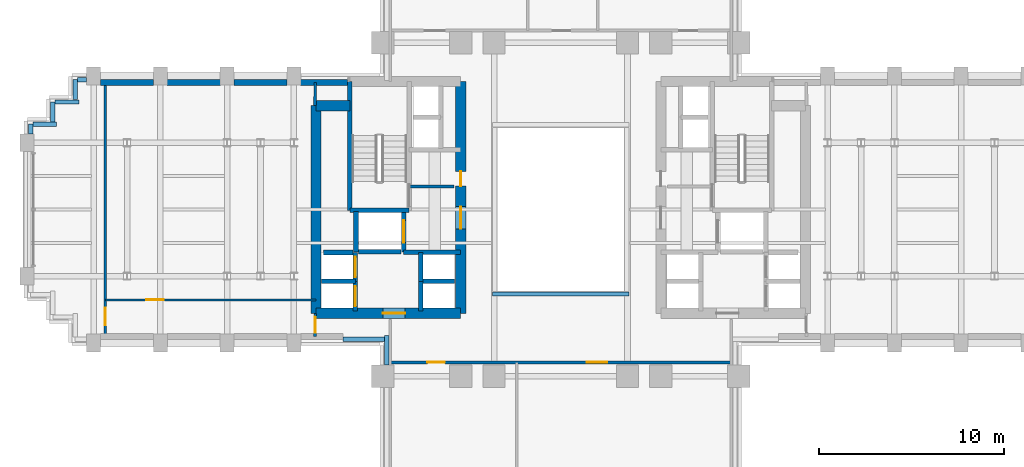
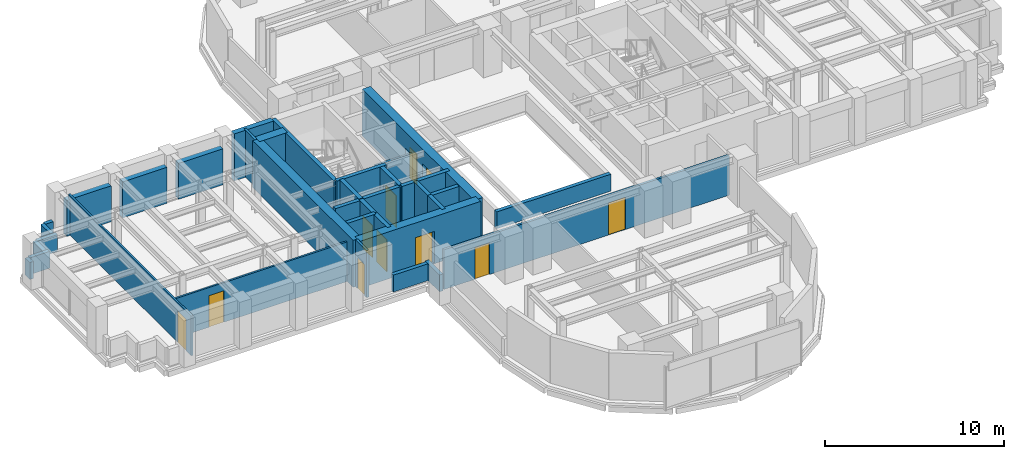
# One storey, part 10 of 16: 36 walls, 11 doors, 11 openings.
"""IFC4 building model written with IfcOpenShell, lengths in metres."""

from ifc_helpers import new_model, si_unit, direction, frame, frame_2d, origin, place, context, subcontext, project, spatial, rectangle, extrude, source, transform, mapped, material, layer, layer_set, type_object, element, fill, save


model = new_model("IFC4")

# Units and contexts
model_context = context("Model", 3, precision=1e-05, world=origin(), true_north=direction((0.0, 1.0)))
body_context = subcontext(model_context, "Body", "Model", "MODEL_VIEW")
ifc_project = project(units=[si_unit("LENGTHUNIT", "METRE"), si_unit("AREAUNIT", "SQUARE_METRE"), si_unit("VOLUMEUNIT", "CUBIC_METRE"), si_unit("PLANEANGLEUNIT", "RADIAN"), si_unit("MASSUNIT", "GRAM", prefix="KILO")], contexts=[model_context])

# Site, building, storey
site_placement = place(None, origin())
site = spatial("IfcSite", under=ifc_project, at=site_placement, CompositionType="ELEMENT")
building_placement = place(site_placement, origin())
building = spatial("IfcBuilding", under=site, at=building_placement, Name="Keilestroom Media Tower", CompositionType="ELEMENT")
storey_placement = place(building_placement, frame((0.0, 0.0, 34.0)))
storey = spatial("IfcBuildingStorey", under=building, at=storey_placement, Name="L07", CompositionType="ELEMENT", Elevation=34.0)

# Walls
ifc_material_1 = material(Name="Precast concrete C40/50", Category="concrete")
ifc_layer_1 = layer(ifc_material_1, 0.340087890625)
ifc_layer_set_1 = layer_set([ifc_layer_1], Name="Precast concrete C40/50")
wall_type_1 = type_object("IfcWallType", Name="Exterior-Masonry-Spandrel-Wall-340", PredefinedType="SOLIDWALL", material=ifc_layer_set_1)
for number, where, z_axis, x_axis, name in (
    (1, (-24.8330078125, 6.85009765625, 0.0), (0.0, 0.0, 1.0), (1.0, 0.0, 0.0), "L07 Flank Masonry Wall EWL-L07-NW-1"),
    (2, (-21.23291015625, 6.85009765625, 0.0), (0.0, 0.0, 1.0), (1.0, 0.0, 0.0), "L07 Flank Masonry Wall EWL-L07-NW-2"),
    (3, (-17.633056640625, 6.85009765625, 0.0), (0.0, 0.0, 1.0), (1.0, 0.0, 0.0), "L07 Flank Masonry Wall EWL-L07-NW-3"),
):
    element("IfcWall", number, at=place(storey_placement, frame(where, z_axis=z_axis, x_axis=x_axis)), inside=storey, type_object=wall_type_1, Name=name, PredefinedType="SOLIDWALL", context=body_context, shape_type="SweptSolid", body=[
        extrude(rectangle(XDim=2.865966796875, YDim=0.340087890625, at=frame_2d((1.43310546875, 0.0))), origin(), (0.0, 0.0, 1.0), 2.449951171875),
    ])
wall_1_placement = place(storey_placement, frame((-14.032958984375, 6.85009765625, 0.0), z_axis=(0.0, 0.0, 1.0), x_axis=(1.0, 0.0, 0.0)))
element("IfcWall", 4, at=wall_1_placement, inside=storey, type_object=wall_type_1, Name="L07 Flank Masonry Wall EWL-L07-NW-4", PredefinedType="SOLIDWALL", context=body_context, shape_type="SweptSolid", body=[
    extrude(rectangle(XDim=2.534912109375, YDim=0.340087890625, at=frame_2d((1.267578125, 0.0))), origin(), (0.0, 0.0, 1.0), 3.199951171875),
])

# Wall, opening, door
ifc_material_2 = material(Name="Gypsum Plasterboard & Steel Stud", Category="steel")
ifc_layer_2 = layer(ifc_material_2, 0.1201171875)
ifc_layer_set_2 = layer_set([ifc_layer_2], Name="Gypsum Plasterboard & Steel Stud")
wall_type_2 = type_object("IfcWallType", Name="Interior-Partition-Wall-120", PredefinedType="PARTITIONING", material=ifc_layer_set_2)
wall_2_placement = place(storey_placement, frame((-24.570068359375, -4.8798828125, 0.0), z_axis=(0.0, 0.0, 1.0), x_axis=(1.0, 0.0, 0.0)))
wall_2 = element("IfcWall", 5, at=wall_2_placement, inside=storey, type_object=wall_type_2, Name="L07 Interior Wall WP-L07-WA-CN", PredefinedType="PARTITIONING", context=body_context, shape_type="SweptSolid", body=[
    extrude(rectangle(XDim=11.3701171875, YDim=0.1201171875, at=frame_2d((5.68505859375, 0.0))), origin(), (0.0, 0.0, 1.0), 2.699951171875),
])
opening_1_placement = place(wall_2_placement, frame((2.199951171875, 0.0, 0.0)))
opening_1 = element("IfcOpeningElement", 6, at=opening_1_placement, cuts=wall_2, Name="Opening DI-03", PredefinedType="OPENING", context=body_context, shape_type="SweptSolid", body=[
    extrude(rectangle(XDim=0.949951171875, YDim=2.14990234375, at=frame_2d((0.47509765625, 1.074951171875))), frame((0.0, 0.070068359375, 0.0), z_axis=(0.0, -1.0, 0.0), x_axis=(1.0, 0.0, 0.0)), (0.0, 0.0, 1.0), 0.14013671875),
])
ifc_material_3 = material(Name="Lacquered European Oak Leaf", Category="wood")
door_type_1 = type_object("IfcDoorType", Name="Interior-Room-And-Suite-Door-DI-03", OperationType="NOTDEFINED", PredefinedType="DOOR", material=ifc_material_3)
shared_shape_1 = source(origin(), body_context, "Body", "SweptSolid", [
    extrude(rectangle(XDim=0.949951171875, YDim=2.14990234375, at=frame_2d((0.47509765625, 1.074951171875))), frame((0.0, 0.02490234375, 0.0), z_axis=(0.0, -1.0, 0.0), x_axis=(1.0, 0.0, 0.0)), (0.0, 0.0, 1.0), 0.050048828125),
])
door_1_placement = place(opening_1_placement, origin())
door_1 = element("IfcDoor", 7, at=door_1_placement, inside=storey, type_object=door_type_1, Name="L07 Interior Door DI-L07-DWA-RN", OperationType="SINGLE_SWING_RIGHT", OverallHeight=2.14990234375, OverallWidth=0.949951171875, PredefinedType="DOOR", context=body_context, shape_type="MappedRepresentation", body=[
    mapped(shared_shape_1, transform((0.0, 0.0, 0.0), x_axis=(1.0, 0.0, 0.0), y_axis=(0.0, 1.0, 0.0), z_axis=(0.0, 0.0, 1.0), scale=1.0)),
])
fill(opening_1, door_1)

wall_3_placement = place(storey_placement, frame((-24.570068359375, -6.85009765625, 0.0), z_axis=(0.0, 0.0, 1.0), x_axis=(0.0, 1.0, 0.0)))
wall_3 = element("IfcWall", 8, at=wall_3_placement, inside=storey, type_object=wall_type_2, Name="L07 Interior Wall WP-L07-WA-CE", PredefinedType="PARTITIONING", context=body_context, shape_type="SweptSolid", body=[
    extrude(rectangle(XDim=13.7001953125, YDim=0.1201171875, at=frame_2d((6.85009765625, 0.0))), origin(), (0.0, 0.0, 1.0), 2.7099609375),
])
opening_2_placement = place(wall_3_placement, frame((0.60009765625, 0.0, 0.0)))
opening_2 = element("IfcOpeningElement", 9, at=opening_2_placement, cuts=wall_3, Name="Opening DI-03", PredefinedType="OPENING", context=body_context, shape_type="SweptSolid", body=[
    extrude(rectangle(XDim=0.949951171875, YDim=2.14990234375, at=frame_2d((0.47509765625, 1.074951171875))), frame((0.0, 0.070068359375, 0.0), z_axis=(0.0, -1.0, 0.0), x_axis=(1.0, 0.0, 0.0)), (0.0, 0.0, 1.0), 0.14013671875),
])
door_2_placement = place(opening_2_placement, origin())
door_2 = element("IfcDoor", 10, at=door_2_placement, inside=storey, type_object=door_type_1, Name="L07 Interior Door DI-L07-DWA-END", OperationType="SINGLE_SWING_LEFT", OverallHeight=2.14990234375, OverallWidth=0.949951171875, PredefinedType="DOOR", context=body_context, shape_type="MappedRepresentation", body=[
    mapped(shared_shape_1, transform((0.0, 0.0, 0.0), x_axis=(1.0, 0.0, 0.0), y_axis=(0.0, 1.0, 0.0), z_axis=(0.0, 0.0, 1.0), scale=1.0)),
])
fill(opening_2, door_2)

# Wall
ifc_layer_3 = layer(ifc_material_2, 0.14990234375)
ifc_layer_set_3 = layer_set([ifc_layer_3], Name="Gypsum Plasterboard & Steel Stud")
wall_type_3 = type_object("IfcWallType", Name="Interior-Partition-Wall-150", PredefinedType="PARTITIONING", material=ifc_layer_set_3)
wall_4_placement = place(storey_placement, frame((-8.139892578125, 1.239990234375, 0.0), z_axis=(0.0, 0.0, 1.0), x_axis=(1.0, 0.0, 0.0)))
element("IfcWall", 11, at=wall_4_placement, inside=storey, type_object=wall_type_3, Name="L07 Interior Wall WP-L07-FFW-TOP", PredefinedType="PARTITIONING", context=body_context, shape_type="SweptSolid", body=[
    extrude(rectangle(XDim=2.389892578125, YDim=0.14990234375, at=frame_2d((1.19482421875, 0.0))), origin(), (0.0, 0.0, 1.0), 2.300048828125),
])

# Wall, openings, doors
wall_5_placement = place(storey_placement, frame((-9.199951171875, -8.25, 0.0), z_axis=(0.0, 0.0, 1.0), x_axis=(1.0, 0.0, 0.0)))
wall_5 = element("IfcWall", 12, at=wall_5_placement, inside=storey, type_object=wall_type_3, Name="L07 Interior Wall WP-L07-SL-BASE", PredefinedType="PARTITIONING", context=body_context, shape_type="SweptSolid", body=[
    extrude(rectangle(XDim=18.39990234375, YDim=0.14990234375, at=frame_2d((9.199951171875, 0.0))), origin(), (0.0, 0.0, 1.0), 2.699951171875),
])
opening_3_placement = place(wall_5_placement, frame((2.0, 0.0, 0.0)))
opening_3 = element("IfcOpeningElement", 13, at=opening_3_placement, cuts=wall_5, Name="Opening DI-03", PredefinedType="OPENING", context=body_context, shape_type="SweptSolid", body=[
    extrude(rectangle(XDim=0.949951171875, YDim=2.14990234375, at=frame_2d((0.47509765625, 1.074951171875))), frame((0.0, 0.0849609375, 0.0), z_axis=(0.0, -1.0, 0.0), x_axis=(1.0, 0.0, 0.0)), (0.0, 0.0, 1.0), 0.169921875),
])
opening_4_placement = place(wall_5_placement, frame((10.60009765625, 0.0, 0.0)))
opening_4 = element("IfcOpeningElement", 14, at=opening_4_placement, cuts=wall_5, Name="Opening DI-04", PredefinedType="OPENING", context=body_context, shape_type="SweptSolid", body=[
    extrude(rectangle(XDim=1.10009765625, YDim=2.199951171875, at=frame_2d((0.550048828125, 1.10009765625))), frame((0.0, 0.0849609375, 0.0), z_axis=(0.0, -1.0, 0.0), x_axis=(1.0, 0.0, 0.0)), (0.0, 0.0, 1.0), 0.169921875),
])
door_3_placement = place(opening_3_placement, origin())
door_3 = element("IfcDoor", 15, at=door_3_placement, inside=storey, type_object=door_type_1, Name="L07 Interior Door DI-L07-DSL-W", OperationType="SINGLE_SWING_RIGHT", OverallHeight=2.14990234375, OverallWidth=0.949951171875, PredefinedType="DOOR", context=body_context, shape_type="MappedRepresentation", body=[
    mapped(shared_shape_1, transform((0.0, 0.0, 0.0), x_axis=(1.0, 0.0, 0.0), y_axis=(0.0, 1.0, 0.0), z_axis=(0.0, 0.0, 1.0), scale=1.0)),
])
fill(opening_3, door_3)
ifc_material_4 = material(Name="Acoustic Glazed Aluminium Leaf", Category="aluminium")
door_type_2 = type_object("IfcDoorType", Name="Interior-Room-And-Suite-Door-DI-04", OperationType="NOTDEFINED", PredefinedType="DOOR", material=ifc_material_4)
shared_shape_2 = source(origin(), body_context, "Body", "SweptSolid", [
    extrude(rectangle(XDim=1.10009765625, YDim=2.199951171875, at=frame_2d((0.550048828125, 1.10009765625))), frame((0.0, 0.02490234375, 0.0), z_axis=(0.0, -1.0, 0.0), x_axis=(1.0, 0.0, 0.0)), (0.0, 0.0, 1.0), 0.050048828125),
])
door_4_placement = place(opening_4_placement, origin())
door_4 = element("IfcDoor", 16, at=door_4_placement, inside=storey, type_object=door_type_2, Name="L07 Interior Door DI-L07-DSL-E", OperationType="SINGLE_SWING_LEFT", OverallHeight=2.199951171875, OverallWidth=1.10009765625, PredefinedType="DOOR", context=body_context, shape_type="MappedRepresentation", body=[
    mapped(shared_shape_2, transform((0.0, 0.0, 0.0), x_axis=(1.0, 0.0, 0.0), y_axis=(0.0, 1.0, 0.0), z_axis=(0.0, 0.0, 1.0), scale=1.0)),
])
fill(opening_4, door_4)

# Wall
wall_6_placement = place(storey_placement, frame((-13.260009765625, 5.60009765625, 0.0), z_axis=(0.0, 0.0, 1.0), x_axis=(0.016013571389, 0.999871774545, 0.0)))
element("IfcWall", 17, at=wall_6_placement, inside=storey, type_object=wall_type_3, Name="L07 Interior Wall WP-L07-WA-ENTN", PredefinedType="PARTITIONING", context=body_context, shape_type="SweptSolid", body=[
    extrude(rectangle(XDim=1.250244140625, YDim=0.14990234375, at=frame_2d((0.625, 0.0))), origin(), (0.0, 0.0, 1.0), 3.199951171875),
])

# Wall, opening, door
wall_7_placement = place(storey_placement, frame((-13.260009765625, -6.85009765625, 0.0), z_axis=(0.0, 0.0, 1.0), x_axis=(0.016013571389, 0.999871774545, 0.0)))
wall_7 = element("IfcWall", 18, at=wall_7_placement, inside=storey, type_object=wall_type_3, Name="L07 Interior Wall WP-L07-WA-ENTS", PredefinedType="PARTITIONING", context=body_context, shape_type="SweptSolid", body=[
    extrude(rectangle(XDim=1.250244140625, YDim=0.14990234375, at=frame_2d((0.625, 0.0))), origin(), (0.0, 0.0, 1.0), 3.199951171875),
])
opening_5_placement = place(wall_7_placement, frame((0.199951171875, 0.0, 0.0)))
opening_5 = element("IfcOpeningElement", 19, at=opening_5_placement, cuts=wall_7, Name="Opening DI-05", PredefinedType="OPENING", context=body_context, shape_type="SweptSolid", body=[
    extrude(rectangle(XDim=0.85009765625, YDim=2.10009765625, at=frame_2d((0.425048828125, 1.050048828125))), frame((0.0, 0.0849609375, 0.0), z_axis=(0.0, -1.0, 0.0), x_axis=(1.0, 0.0, 0.0)), (0.0, 0.0, 1.0), 0.169921875),
])
ifc_material_5 = material(Name="Moisture-Resistant Oak Leaf", Category="wood")
door_type_3 = type_object("IfcDoorType", Name="Interior-En-Suite-And-Cupboard-Door-DI-05", OperationType="NOTDEFINED", PredefinedType="DOOR", material=ifc_material_5)
shared_shape_3 = source(origin(), body_context, "Body", "SweptSolid", [
    extrude(rectangle(XDim=0.85009765625, YDim=2.10009765625, at=frame_2d((0.425048828125, 1.050048828125))), frame((0.0, 0.02490234375, 0.0), z_axis=(0.0, -1.0, 0.0), x_axis=(1.0, 0.0, 0.0)), (0.0, 0.0, 1.0), 0.050048828125),
])
door_5_placement = place(opening_5_placement, origin())
door_5 = element("IfcDoor", 20, at=door_5_placement, inside=storey, type_object=door_type_3, Name="L07 Interior Door DI-L07-DWA-ENTS", OperationType="SINGLE_SWING_RIGHT", OverallHeight=2.10009765625, OverallWidth=0.85009765625, PredefinedType="DOOR", context=body_context, shape_type="MappedRepresentation", body=[
    mapped(shared_shape_3, transform((0.0, 0.0, 0.0), x_axis=(1.0, 0.0, 0.0), y_axis=(0.0, 1.0, 0.0), z_axis=(0.0, 0.0, 1.0), scale=1.0)),
])
fill(opening_5, door_5)

# Wall
ifc_material_6 = material(Name="Concrete C70/85", Category="concrete")
ifc_layer_4 = layer(ifc_material_6, 0.550048828125)
ifc_layer_set_4 = layer_set([ifc_layer_4], Name="Concrete C70/85")
wall_type_4 = type_object("IfcWallType", Name="Reinforced-Concrete-Core-Shear-Wall-550", PredefinedType="SHEAR", material=ifc_layer_set_4)
wall_8_placement = place(storey_placement, frame((-13.199951171875, -5.60009765625, 0.0), z_axis=(0.0, 0.0, 1.0), x_axis=(0.0, 1.0, 0.0)))
element("IfcWall", 21, at=wall_8_placement, inside=storey, type_object=wall_type_4, Name="L07 Core Shear Wall WL-L07-CORE-W-OUT", PredefinedType="SHEAR", context=body_context, shape_type="SweptSolid", body=[
    extrude(rectangle(XDim=11.2001953125, YDim=0.550048828125, at=frame_2d((5.60009765625, 0.0))), origin(), (0.0, 0.0, 1.0), 3.199951171875),
])

# Wall, openings, doors
wall_9_placement = place(storey_placement, frame((-5.39990234375, -5.60009765625, 0.0), z_axis=(0.0, 0.0, 1.0), x_axis=(0.0, 1.0, 0.0)))
wall_9 = element("IfcWall", 22, at=wall_9_placement, inside=storey, type_object=wall_type_4, Name="L07 Core Shear Wall WL-L07-CORE-W-IN", PredefinedType="SHEAR", context=body_context, shape_type="SweptSolid", body=[
    extrude(rectangle(XDim=12.5, YDim=0.550048828125, at=frame_2d((6.25, 0.0))), origin(), (0.0, 0.0, 1.0), 3.199951171875),
])
opening_6_placement = place(wall_9_placement, frame((4.550048828125, 0.0, 0.0)))
opening_6 = element("IfcOpeningElement", 23, at=opening_6_placement, cuts=wall_9, Name="Opening DI-02", PredefinedType="OPENING", context=body_context, shape_type="SweptSolid", body=[
    extrude(rectangle(XDim=1.199951171875, YDim=2.199951171875, at=frame_2d((0.60009765625, 1.10009765625))), frame((0.0, 0.28515625, 0.0), z_axis=(0.0, -1.0, 0.0), x_axis=(1.0, 0.0, 0.0)), (0.0, 0.0, 1.0), 0.570068359375),
])
opening_7_placement = place(wall_9_placement, frame((6.860107421875, 0.0, 0.0)))
opening_7 = element("IfcOpeningElement", 24, at=opening_7_placement, cuts=wall_9, Name="Opening DI-06", PredefinedType="OPENING", context=body_context, shape_type="SweptSolid", body=[
    extrude(rectangle(XDim=0.800048828125, YDim=2.10009765625, at=frame_2d((0.39990234375, 1.050048828125))), frame((0.0, 0.28515625, 0.0), z_axis=(0.0, -1.0, 0.0), x_axis=(1.0, 0.0, 0.0)), (0.0, 0.0, 1.0), 0.570068359375),
])
ifc_material_7 = material(Name="Powder-Coated Steel Fire Leaf", Category="steel")
door_type_4 = type_object("IfcDoorType", Name="Interior-Compartment-Fire-Door-DI-02", OperationType="NOTDEFINED", PredefinedType="DOOR", material=ifc_material_7)
shared_shape_4 = source(origin(), body_context, "Body", "SweptSolid", [
    extrude(rectangle(XDim=1.199951171875, YDim=2.199951171875, at=frame_2d((0.60009765625, 1.10009765625))), frame((0.0, 0.02490234375, 0.0), z_axis=(0.0, -1.0, 0.0), x_axis=(1.0, 0.0, 0.0)), (0.0, 0.0, 1.0), 0.050048828125),
])
door_6_placement = place(opening_6_placement, origin())
door_6 = element("IfcDoor", 25, at=door_6_placement, inside=storey, type_object=door_type_4, Name="L07 W Firefighting Lobby Door", OperationType="SINGLE_SWING_RIGHT", OverallHeight=2.199951171875, OverallWidth=1.199951171875, PredefinedType="DOOR", context=body_context, shape_type="MappedRepresentation", body=[
    mapped(shared_shape_4, transform((0.0, 0.0, 0.0), x_axis=(1.0, 0.0, 0.0), y_axis=(0.0, 1.0, 0.0), z_axis=(0.0, 0.0, 1.0), scale=1.0)),
])
fill(opening_6, door_6)
ifc_material_8 = material(Name="Powder-Coated Steel Service Leaf", Category="steel")
door_type_5 = type_object("IfcDoorType", Name="Interior-Riser-Access-Door-DI-06", OperationType="NOTDEFINED", PredefinedType="DOOR", material=ifc_material_8)
shared_shape_5 = source(origin(), body_context, "Body", "SweptSolid", [
    extrude(rectangle(XDim=0.800048828125, YDim=2.10009765625, at=frame_2d((0.39990234375, 1.050048828125))), frame((0.0, 0.02490234375, 0.0), z_axis=(0.0, -1.0, 0.0), x_axis=(1.0, 0.0, 0.0)), (0.0, 0.0, 1.0), 0.050048828125),
])
door_7_placement = place(opening_7_placement, origin())
door_7 = element("IfcDoor", 26, at=door_7_placement, inside=storey, type_object=door_type_5, Name="L07 West Core Switchroom Door", OperationType="SINGLE_SWING_LEFT", OverallHeight=2.10009765625, OverallWidth=0.800048828125, PredefinedType="DOOR", context=body_context, shape_type="MappedRepresentation", body=[
    mapped(shared_shape_5, transform((0.0, 0.0, 0.0), x_axis=(1.0, 0.0, 0.0), y_axis=(0.0, 1.0, 0.0), z_axis=(0.0, 0.0, 1.0), scale=1.0)),
])
fill(opening_7, door_7)

# Wall
wall_10_placement = place(storey_placement, frame((-13.199951171875, 5.60009765625, 0.0), z_axis=(0.0, 0.0, 1.0), x_axis=(1.0, 0.0, 0.0)))
element("IfcWall", 27, at=wall_10_placement, inside=storey, type_object=wall_type_4, Name="L07 Core Shear Wall WL-L07-CNW-N", PredefinedType="SHEAR", context=body_context, shape_type="SweptSolid", body=[
    extrude(rectangle(XDim=1.81884765625, YDim=0.550048828125, at=frame_2d((0.909423828125, 0.0))), origin(), (0.0, 0.0, 1.0), 3.199951171875),
])

# Wall, opening, door
wall_11_placement = place(storey_placement, frame((-13.199951171875, -5.60009765625, 0.0), z_axis=(0.0, 0.0, 1.0), x_axis=(1.0, 0.0, 0.0)))
wall_11 = element("IfcWall", 28, at=wall_11_placement, inside=storey, type_object=wall_type_4, Name="L07 Core Shear Wall WL-L07-CORE-W-S", PredefinedType="SHEAR", context=body_context, shape_type="SweptSolid", body=[
    extrude(rectangle(XDim=7.800048828125, YDim=0.550048828125, at=frame_2d((3.89990234375, 0.0))), origin(), (0.0, 0.0, 1.0), 3.199951171875),
])
opening_8_placement = place(wall_11_placement, frame((3.60009765625, 0.0, 0.0)))
opening_8 = element("IfcOpeningElement", 29, at=opening_8_placement, cuts=wall_11, Name="Opening DI-02", PredefinedType="OPENING", context=body_context, shape_type="SweptSolid", body=[
    extrude(rectangle(XDim=1.199951171875, YDim=2.199951171875, at=frame_2d((0.60009765625, 1.10009765625))), frame((0.0, 0.28515625, 0.0), z_axis=(0.0, -1.0, 0.0), x_axis=(1.0, 0.0, 0.0)), (0.0, 0.0, 1.0), 0.570068359375),
])
door_8_placement = place(opening_8_placement, origin())
door_8 = element("IfcDoor", 30, at=door_8_placement, inside=storey, type_object=door_type_4, Name="L07 W Passenger Lift Lobby Door", OperationType="SINGLE_SWING_LEFT", OverallHeight=2.199951171875, OverallWidth=1.199951171875, PredefinedType="DOOR", context=body_context, shape_type="MappedRepresentation", body=[
    mapped(shared_shape_4, transform((0.0, 0.0, 0.0), x_axis=(1.0, 0.0, 0.0), y_axis=(0.0, 1.0, 0.0), z_axis=(0.0, 0.0, 1.0), scale=1.0)),
])
fill(opening_8, door_8)

# Walls
ifc_material_9 = material(Name="Concrete C50/60", Category="concrete")
ifc_layer_5 = layer(ifc_material_9, 0.25)
ifc_layer_set_5 = layer_set([ifc_layer_5], Name="Concrete C50/60")
wall_type_5 = type_object("IfcWallType", Name="Reinforced-Concrete-Shaft-Wall-250", PredefinedType="SOLIDWALL", material=ifc_layer_set_5)
wall_12_placement = place(storey_placement, frame((-8.47998046875, -2.300048828125, 0.0), z_axis=(0.0, 0.0, 1.0), x_axis=(1.0, 0.0, 0.0)))
element("IfcWall", 31, at=wall_12_placement, inside=storey, type_object=wall_type_5, Name="L07 Core Shear Wall WL-L07-CORE-W-FFS", PredefinedType="SOLIDWALL", context=body_context, shape_type="SweptSolid", body=[
    extrude(rectangle(XDim=3.080078125, YDim=0.25, at=frame_2d((1.5400390625, 0.0))), origin(), (0.0, 0.0, 1.0), 3.199951171875),
])
wall_13_placement = place(storey_placement, frame((-11.381103515625, -0.041015625, 0.0), z_axis=(0.0, 0.0, 1.0), x_axis=(0.0, 1.0, 0.0)))
element("IfcWall", 32, at=wall_13_placement, inside=storey, type_object=wall_type_5, Name="L07 Core Shear Wall WL-L07-STW-W-FAR", PredefinedType="SOLIDWALL", context=body_context, shape_type="SweptSolid", body=[
    extrude(rectangle(XDim=6.94091796875, YDim=0.25, at=frame_2d((3.470458984375, 0.0))), origin(), (0.0, 0.0, 1.0), 3.199951171875),
])
wall_14_placement = place(storey_placement, frame((-11.381103515625, -0.041015625, 0.0), z_axis=(0.0, 0.0, 1.0), x_axis=(1.0, 0.0, 0.0)))
element("IfcWall", 33, at=wall_14_placement, inside=storey, type_object=wall_type_5, Name="L07 Core Shear Wall WL-L07-STW-W-S", PredefinedType="SOLIDWALL", context=body_context, shape_type="SweptSolid", body=[
    extrude(rectangle(XDim=3.2021484375, YDim=0.25, at=frame_2d((1.60107421875, 0.0))), origin(), (0.0, 0.0, 1.0), 3.199951171875),
])
wall_15_placement = place(storey_placement, frame((-11.050048828125, -2.280029296875, 0.0), z_axis=(0.0, 0.0, 1.0), x_axis=(0.0, 1.0, 0.0)))
element("IfcWall", 34, at=wall_15_placement, inside=storey, type_object=wall_type_5, Name="L07 Core Shear Wall WL-L07-LSH-FFL-1-W", PredefinedType="SOLIDWALL", context=body_context, shape_type="SweptSolid", body=[
    extrude(rectangle(XDim=2.179931640625, YDim=0.25, at=frame_2d((1.08984375, 0.0))), origin(), (0.0, 0.0, 1.0), 3.199951171875),
])

# Wall, opening, door
wall_16_placement = place(storey_placement, frame((-8.47998046875, -2.280029296875, 0.0), z_axis=(0.0, 0.0, 1.0), x_axis=(0.0, 1.0, 0.0)))
wall_16 = element("IfcWall", 35, at=wall_16_placement, inside=storey, type_object=wall_type_5, Name="L07 Core Shear Wall WL-L07-LSH-FFL-1-E", PredefinedType="SOLIDWALL", context=body_context, shape_type="SweptSolid", body=[
    extrude(rectangle(XDim=2.179931640625, YDim=0.25, at=frame_2d((1.08984375, 0.0))), origin(), (0.0, 0.0, 1.0), 3.199951171875),
])
opening_9_placement = place(wall_16_placement, frame((0.489990234375, 0.0, 0.0)))
opening_9 = element("IfcOpeningElement", 36, at=opening_9_placement, cuts=wall_16, Name="Opening LD-02", PredefinedType="OPENING", context=body_context, shape_type="SweptSolid", body=[
    extrude(rectangle(XDim=1.199951171875, YDim=2.199951171875, at=frame_2d((0.60009765625, 1.10009765625))), frame((0.0, 0.135009765625, 0.0), z_axis=(0.0, -1.0, 0.0), x_axis=(1.0, 0.0, 0.0)), (0.0, 0.0, 1.0), 0.27001953125),
])
ifc_material_10 = material(Name="Brushed Stainless Steel Sliding Leaf", Category="steel")
door_type_6 = type_object("IfcDoorType", Name="Lift-Landing-Sliding-Door-LD-02", OperationType="SLIDING_TO_RIGHT", PredefinedType="DOOR", material=ifc_material_10)
door_9_placement = place(opening_9_placement, origin())
door_9 = element("IfcDoor", 37, at=door_9_placement, inside=storey, type_object=door_type_6, Name="L07 Lift FFL-1 Landing Sliding Door", OperationType="SLIDING_TO_RIGHT", OverallHeight=2.199951171875, OverallWidth=1.199951171875, PredefinedType="DOOR", context=body_context, shape_type="MappedRepresentation", body=[
    mapped(shared_shape_4, transform((0.0, 0.0, 0.0), x_axis=(1.0, 0.0, 0.0), y_axis=(0.0, 1.0, 0.0), z_axis=(0.0, 0.0, 1.0), scale=1.0)),
])
fill(opening_9, door_9)

# Wall
wall_17_placement = place(storey_placement, frame((-10.9208984375, -2.280029296875, 0.0), z_axis=(0.0, 0.0, 1.0), x_axis=(1.0, 0.0, 0.0)))
element("IfcWall", 38, at=wall_17_placement, inside=storey, type_object=wall_type_5, Name="L07 Core Shear Wall WL-L07-LSH-FFL-1-S", PredefinedType="SOLIDWALL", context=body_context, shape_type="SweptSolid", body=[
    extrude(rectangle(XDim=2.31201171875, YDim=0.25, at=frame_2d((1.156005859375, 0.0))), origin(), (0.0, 0.0, 1.0), 3.199951171875),
])

# Wall, opening, door
wall_18_placement = place(storey_placement, frame((-11.080078125, -5.47998046875, 0.0), z_axis=(0.0, 0.0, 1.0), x_axis=(0.0, 1.0, 0.0)))
wall_18 = element("IfcWall", 39, at=wall_18_placement, inside=storey, type_object=wall_type_5, Name="L07 Core Shear Wall WL-L07-LSH-PL-L1-E", PredefinedType="SOLIDWALL", context=body_context, shape_type="SweptSolid", body=[
    extrude(rectangle(XDim=1.60009765625, YDim=0.25, at=frame_2d((0.800048828125, 0.0))), origin(), (0.0, 0.0, 1.0), 3.199951171875),
])
opening_10_placement = place(wall_18_placement, frame((0.25, 0.0, 0.0)))
opening_10 = element("IfcOpeningElement", 40, at=opening_10_placement, cuts=wall_18, Name="Opening LD-01", PredefinedType="OPENING", context=body_context, shape_type="SweptSolid", body=[
    extrude(rectangle(XDim=1.10009765625, YDim=2.199951171875, at=frame_2d((0.550048828125, 1.10009765625))), frame((0.0, 0.135009765625, 0.0), z_axis=(0.0, -1.0, 0.0), x_axis=(1.0, 0.0, 0.0)), (0.0, 0.0, 1.0), 0.27001953125),
])
door_type_7 = type_object("IfcDoorType", Name="Lift-Landing-Sliding-Door-LD-01", OperationType="SLIDING_TO_LEFT", PredefinedType="DOOR", material=ifc_material_10)
door_10_placement = place(opening_10_placement, origin())
door_10 = element("IfcDoor", 41, at=door_10_placement, inside=storey, type_object=door_type_7, Name="L07 Lift PL-L1 Landing Sliding Door", OperationType="SLIDING_TO_LEFT", OverallHeight=2.199951171875, OverallWidth=1.10009765625, PredefinedType="DOOR", context=body_context, shape_type="MappedRepresentation", body=[
    mapped(shared_shape_2, transform((0.0, 0.0, 0.0), x_axis=(1.0, 0.0, 0.0), y_axis=(0.0, 1.0, 0.0), z_axis=(0.0, 0.0, 1.0), scale=1.0)),
])
fill(opening_10, door_10)

# Wall
wall_19_placement = place(storey_placement, frame((-12.919921875, -3.8798828125, 0.0), z_axis=(0.0, 0.0, 1.0), x_axis=(1.0, 0.0, 0.0)))
element("IfcWall", 42, at=wall_19_placement, inside=storey, type_object=wall_type_5, Name="L07 Core Shear Wall WL-L07-LSH-PL-L1-N", PredefinedType="SOLIDWALL", context=body_context, shape_type="SweptSolid", body=[
    extrude(rectangle(XDim=1.83984375, YDim=0.25, at=frame_2d((0.919921875, 0.0))), origin(), (0.0, 0.0, 1.0), 3.199951171875),
])

# Wall, opening, door
wall_20_placement = place(storey_placement, frame((-11.080078125, -3.8798828125, 0.0), z_axis=(0.0, 0.0, 1.0), x_axis=(0.0, 1.0, 0.0)))
wall_20 = element("IfcWall", 43, at=wall_20_placement, inside=storey, type_object=wall_type_5, Name="L07 Core Shear Wall WL-L07-LSH-PL-L2-E", PredefinedType="SOLIDWALL", context=body_context, shape_type="SweptSolid", body=[
    extrude(rectangle(XDim=1.559814453125, YDim=0.25, at=frame_2d((0.77978515625, 0.0))), origin(), (0.0, 0.0, 1.0), 3.199951171875),
])
opening_11_placement = place(wall_20_placement, frame((0.22998046875, 0.0, 0.0)))
opening_11 = element("IfcOpeningElement", 44, at=opening_11_placement, cuts=wall_20, Name="Opening LD-01", PredefinedType="OPENING", context=body_context, shape_type="SweptSolid", body=[
    extrude(rectangle(XDim=1.10009765625, YDim=2.199951171875, at=frame_2d((0.550048828125, 1.10009765625))), frame((0.0, 0.135009765625, 0.0), z_axis=(0.0, -1.0, 0.0), x_axis=(1.0, 0.0, 0.0)), (0.0, 0.0, 1.0), 0.27001953125),
])
door_11_placement = place(opening_11_placement, origin())
door_11 = element("IfcDoor", 45, at=door_11_placement, inside=storey, type_object=door_type_7, Name="L07 Lift PL-L2 Landing Sliding Door", OperationType="SLIDING_TO_LEFT", OverallHeight=2.199951171875, OverallWidth=1.10009765625, PredefinedType="DOOR", context=body_context, shape_type="MappedRepresentation", body=[
    mapped(shared_shape_2, transform((0.0, 0.0, 0.0), x_axis=(1.0, 0.0, 0.0), y_axis=(0.0, 1.0, 0.0), z_axis=(0.0, 0.0, 1.0), scale=1.0)),
])
fill(opening_11, door_11)

# Walls
wall_21_placement = place(storey_placement, frame((-12.791015625, -2.320068359375, 0.0), z_axis=(0.0, 0.0, 1.0), x_axis=(1.0, 0.0, 0.0)))
element("IfcWall", 46, at=wall_21_placement, inside=storey, type_object=wall_type_5, Name="L07 Core Shear Wall WL-L07-LSH-PL-L2-N", PredefinedType="SOLIDWALL", context=body_context, shape_type="SweptSolid", body=[
    extrude(rectangle(XDim=1.58203125, YDim=0.25, at=frame_2d((0.791015625, 0.0))), origin(), (0.0, 0.0, 1.0), 3.199951171875),
])
wall_22_placement = place(storey_placement, frame((-7.56005859375, -5.47998046875, 0.0), z_axis=(0.0, 0.0, 1.0), x_axis=(0.0, 1.0, 0.0)))
element("IfcWall", 47, at=wall_22_placement, inside=storey, type_object=wall_type_5, Name="L07 Core Shear Wall WL-L07-LSH-PL-M1-W", PredefinedType="SOLIDWALL", context=body_context, shape_type="SweptSolid", body=[
    extrude(rectangle(XDim=1.60009765625, YDim=0.25, at=frame_2d((0.800048828125, 0.0))), origin(), (0.0, 0.0, 1.0), 3.199951171875),
])
wall_23_placement = place(storey_placement, frame((-7.56005859375, -3.8798828125, 0.0), z_axis=(0.0, 0.0, 1.0), x_axis=(1.0, 0.0, 0.0)))
element("IfcWall", 48, at=wall_23_placement, inside=storey, type_object=wall_type_5, Name="L07 Core Shear Wall WL-L07-LSH-PL-M1-N", PredefinedType="SOLIDWALL", context=body_context, shape_type="SweptSolid", body=[
    extrude(rectangle(XDim=1.840087890625, YDim=0.25, at=frame_2d((0.919921875, 0.0))), origin(), (0.0, 0.0, 1.0), 3.199951171875),
])
wall_24_placement = place(storey_placement, frame((-7.56005859375, -3.8798828125, 0.0), z_axis=(0.0, 0.0, 1.0), x_axis=(0.0, 1.0, 0.0)))
element("IfcWall", 49, at=wall_24_placement, inside=storey, type_object=wall_type_5, Name="L07 Core Shear Wall WL-L07-LSH-PL-M2-W", PredefinedType="SOLIDWALL", context=body_context, shape_type="SweptSolid", body=[
    extrude(rectangle(XDim=1.559814453125, YDim=0.25, at=frame_2d((0.77978515625, 0.0))), origin(), (0.0, 0.0, 1.0), 3.199951171875),
])
ifc_layer_6 = layer(ifc_material_1, 0.239990234375)
ifc_layer_set_6 = layer_set([ifc_layer_6], Name="Precast concrete C40/50")
wall_type_6 = type_object("IfcWallType", Name="Roof-And-Terrace-Parapet-Wall-240", PredefinedType="PARAPET", material=ifc_layer_set_6)
wall_25_placement = place(storey_placement, frame((-9.39990234375, -8.39697265625, 0.0), z_axis=(0.0, 0.0, 1.0), x_axis=(0.0, 1.0, 0.0)))
element("IfcWall", 50, at=wall_25_placement, inside=storey, type_object=wall_type_6, Name="L07 Perimeter Edge Parapet Wall 11", PredefinedType="PARAPET", context=body_context, shape_type="SweptSolid", body=[
    extrude(rectangle(XDim=1.596923828125, YDim=0.239990234375, at=frame_2d((0.79833984375, 0.0))), origin(), (0.0, 0.0, 1.0), 1.14990234375),
])
wall_26_placement = place(storey_placement, frame((-9.52294921875, -7.0, 0.0), z_axis=(0.0, 0.0, 1.0), x_axis=(-1.0, 0.0, 0.0)))
element("IfcWall", 51, at=wall_26_placement, inside=storey, type_object=wall_type_6, Name="L07 Perimeter Edge Parapet Wall 12", PredefinedType="PARAPET", context=body_context, shape_type="SweptSolid", body=[
    extrude(rectangle(XDim=2.22412109375, YDim=0.239990234375, at=frame_2d((1.112060546875, 0.0))), origin(), (0.0, 0.0, 1.0), 1.14990234375),
])
wall_27_placement = place(storey_placement, frame((-28.60009765625, 4.077880859375, 0.0), z_axis=(0.0, 0.0, 1.0), x_axis=(0.0, 1.0, 0.0)))
element("IfcWall", 52, at=wall_27_placement, inside=storey, type_object=wall_type_6, Name="L07 Perimeter Edge Parapet Wall 19", PredefinedType="PARAPET", context=body_context, shape_type="SweptSolid", body=[
    extrude(rectangle(XDim=0.522216796875, YDim=0.239990234375, at=frame_2d((0.26123046875, 0.0))), origin(), (0.0, 0.0, 1.0), 1.14990234375),
])
wall_28_placement = place(storey_placement, frame((-28.47705078125, 4.60009765625, 0.0), z_axis=(0.0, 0.0, 1.0), x_axis=(1.0, 0.0, 0.0)))
element("IfcWall", 53, at=wall_28_placement, inside=storey, type_object=wall_type_6, Name="L07 Perimeter Edge Parapet Wall 20", PredefinedType="PARAPET", context=body_context, shape_type="SweptSolid", body=[
    extrude(rectangle(XDim=1.277099609375, YDim=0.239990234375, at=frame_2d((0.638671875, 0.0))), origin(), (0.0, 0.0, 1.0), 1.14990234375),
])
wall_29_placement = place(storey_placement, frame((-27.39990234375, 4.722900390625, 0.0), z_axis=(0.0, 0.0, 1.0), x_axis=(0.0, 1.0, 0.0)))
element("IfcWall", 54, at=wall_29_placement, inside=storey, type_object=wall_type_6, Name="L07 Perimeter Edge Parapet Wall 21", PredefinedType="PARAPET", context=body_context, shape_type="SweptSolid", body=[
    extrude(rectangle(XDim=1.0771484375, YDim=0.239990234375, at=frame_2d((0.53857421875, 0.0))), origin(), (0.0, 0.0, 1.0), 1.14990234375),
])
wall_30_placement = place(storey_placement, frame((-27.277099609375, 5.800048828125, 0.0), z_axis=(0.0, 0.0, 1.0), x_axis=(1.0, 0.0, 0.0)))
element("IfcWall", 55, at=wall_30_placement, inside=storey, type_object=wall_type_6, Name="L07 Perimeter Edge Parapet Wall 22", PredefinedType="PARAPET", context=body_context, shape_type="SweptSolid", body=[
    extrude(rectangle(XDim=1.277099609375, YDim=0.239990234375, at=frame_2d((0.638671875, 0.0))), origin(), (0.0, 0.0, 1.0), 1.14990234375),
])
wall_31_placement = place(storey_placement, frame((-26.199951171875, 5.923095703125, 0.0), z_axis=(0.0, 0.0, 1.0), x_axis=(0.0, 1.0, 0.0)))
element("IfcWall", 56, at=wall_31_placement, inside=storey, type_object=wall_type_6, Name="L07 Perimeter Edge Parapet Wall 23", PredefinedType="PARAPET", context=body_context, shape_type="SweptSolid", body=[
    extrude(rectangle(XDim=1.076904296875, YDim=0.239990234375, at=frame_2d((0.53857421875, 0.0))), origin(), (0.0, 0.0, 1.0), 1.14990234375),
])
wall_32_placement = place(storey_placement, frame((-26.076904296875, 7.0, 0.0), z_axis=(0.0, 0.0, 1.0), x_axis=(1.0, 0.0, 0.0)))
element("IfcWall", 57, at=wall_32_placement, inside=storey, type_object=wall_type_6, Name="L07 Perimeter Edge Parapet Wall 24", PredefinedType="PARAPET", context=body_context, shape_type="SweptSolid", body=[
    extrude(rectangle(XDim=0.4990234375, YDim=0.239990234375, at=frame_2d((0.24951171875, 0.0))), origin(), (0.0, 0.0, 1.0), 1.14990234375),
])
wall_33_placement = place(storey_placement, frame((-3.679931640625, -4.56005859375, 0.0), z_axis=(0.0, 0.0, 1.0), x_axis=(1.0, 0.0, 0.0)))
element("IfcWall", 58, at=wall_33_placement, inside=storey, type_object=wall_type_6, Name="L07 Central Atrium Guard Parapet S", PredefinedType="PARAPET", context=body_context, shape_type="SweptSolid", body=[
    extrude(rectangle(XDim=7.35986328125, YDim=0.239990234375, at=frame_2d((3.679931640625, 0.0))), origin(), (0.0, 0.0, 1.0), 1.14990234375),
])

save(model, "model.ifc")
